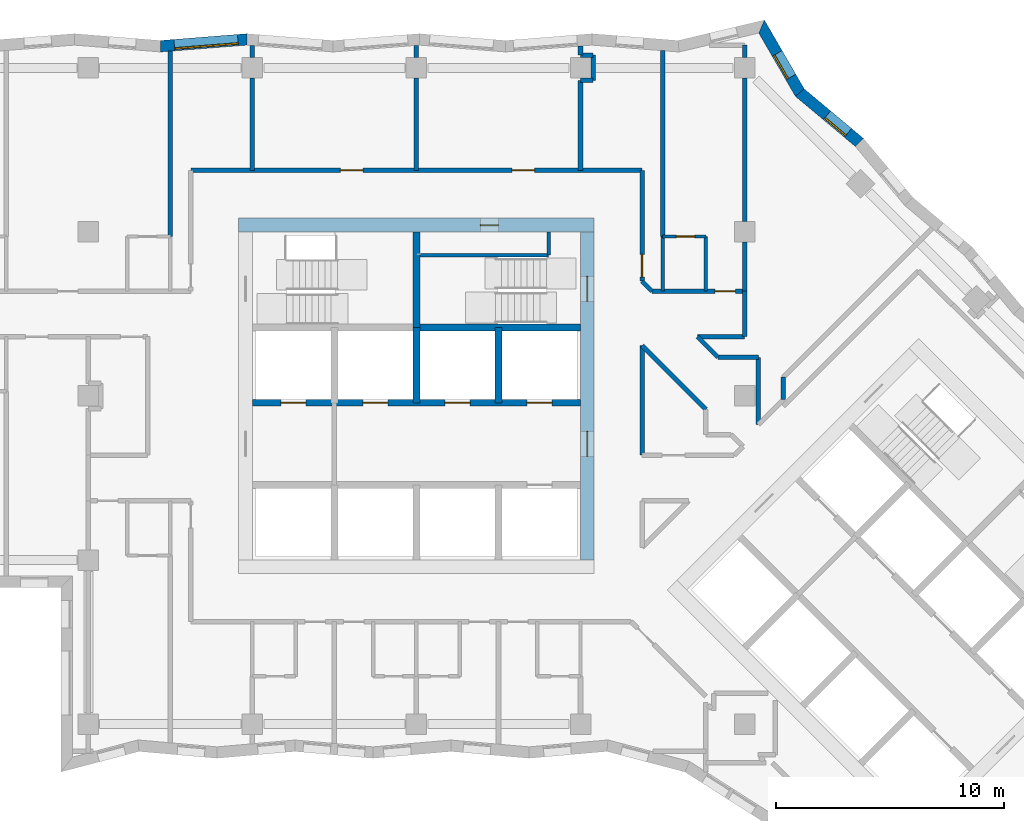
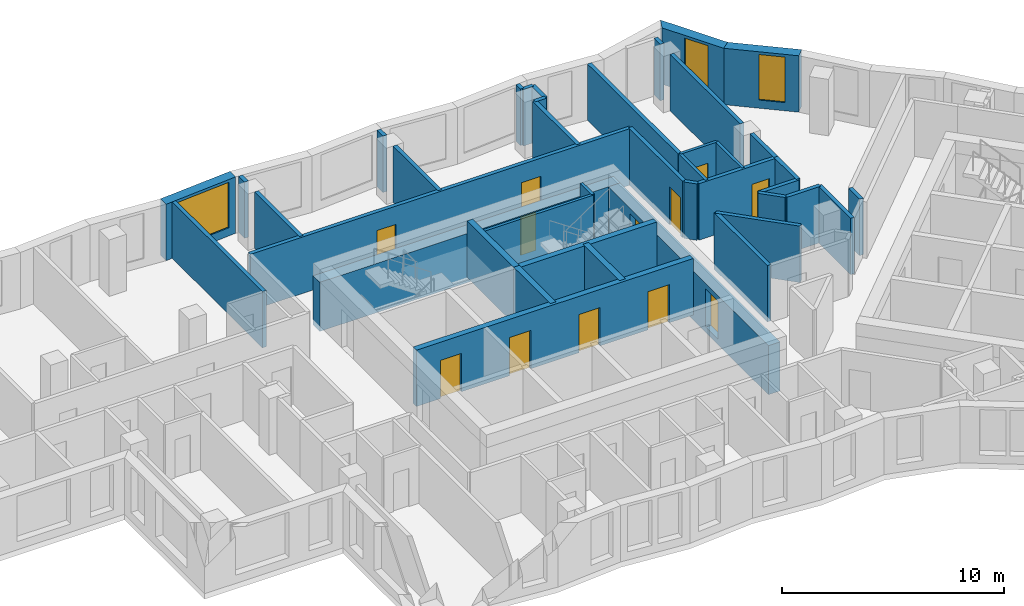
# One storey, part 6 of 12: 41 walls, 12 doors, 3 windows, 15 openings.
"""IFC4 building model written with IfcOpenShell, lengths in metres."""

from ifc_helpers import new_model, si_unit, direction, frame, frame_2d, origin, place, context, subcontext, project, spatial, polyline, rectangle, outline, extrude, material, layer, layer_set, type_object, element, fill, save


model = new_model("IFC4")

# Units and contexts
model_context = context("Model", 3, precision=1e-05, world=origin(), true_north=direction((0.0, 1.0)))
body_context = subcontext(model_context, "Body", "Model", "MODEL_VIEW")
ifc_project = project(units=[si_unit("LENGTHUNIT", "METRE"), si_unit("AREAUNIT", "SQUARE_METRE"), si_unit("VOLUMEUNIT", "CUBIC_METRE"), si_unit("PLANEANGLEUNIT", "RADIAN"), si_unit("MASSUNIT", "GRAM", prefix="KILO")], contexts=[model_context])

# Site, building, storey
site_placement = place(None, origin())
site = spatial("IfcSite", under=ifc_project, at=site_placement, CompositionType="ELEMENT")
building_placement = place(site_placement, origin())
building = spatial("IfcBuilding", under=site, at=building_placement, Name="Windrow Commons", CompositionType="ELEMENT")
storey_placement = place(building_placement, frame((0.0, 0.0, 135.4)))
storey = spatial("IfcBuildingStorey", under=building, at=storey_placement, Name="L36", CompositionType="ELEMENT", Elevation=135.4)

# Wall, opening, window
ifc_material_1 = material(Name="Brick masonry, red clay brick", Category="masonry")
ifc_layer_1 = layer(ifc_material_1, 0.5)
ifc_layer_set_1 = layer_set([ifc_layer_1], Name="Brick facade wall 500")
wall_type_1 = type_object("IfcWallType", Name="Brick facade wall 500", PredefinedType="SOLIDWALL", material=ifc_layer_set_1)
wall_1_placement = place(storey_placement, frame((84.2376, 68.7288, 0.0), z_axis=(0.0, 0.0, 1.0), x_axis=(-0.7669762984, 0.6416754301, 0.0)))
wall_1 = element("IfcWall", 1, at=wall_1_placement, inside=storey, type_object=wall_type_1, Name="Brick facade wall L36 17", PredefinedType="SOLIDWALL", context=body_context, shape_type="SweptSolid", body=[
    extrude(outline(polyline([(-0.0222, -0.25), (3.3636, -0.25), (3.4518, 0.25), (0.0222, 0.25), (-0.0222, -0.25)])), origin(), (0.0, 0.0, 1.0), 3.1),
])
opening_1_placement = place(wall_1_placement, frame((0.6532, 0.0, 0.45)))
opening_1 = element("IfcOpeningElement", 2, at=opening_1_placement, cuts=wall_1, Name="Opening W7E", PredefinedType="OPENING", context=body_context, shape_type="SweptSolid", body=[
    extrude(rectangle(XDim=1.2, YDim=2.5, at=frame_2d((0.6, 1.25))), frame((0.0, 0.26, 0.0), z_axis=(0.0, -1.0, 0.0), x_axis=(1.0, 0.0, 0.0)), (0.0, 0.0, 1.0), 0.52),
])
ifc_material_2 = material(Name="Clear float glass in anodised aluminium frame", Category="aluminium")
window_type_1 = type_object("IfcWindowType", Name="Window W7 notch 1200x2500", PartitioningType="SINGLE_PANEL", PredefinedType="WINDOW", material=ifc_material_2)
window_1_placement = place(opening_1_placement, origin())
window_1 = element("IfcWindow", 3, at=window_1_placement, inside=storey, type_object=window_type_1, Name="Window L36 17.1", OverallHeight=2.5, OverallWidth=1.2, PartitioningType="SINGLE_PANEL", PredefinedType="WINDOW", context=body_context, shape_type="SweptSolid", body=[
    extrude(rectangle(XDim=1.2, YDim=2.5, at=frame_2d((0.6, 1.25))), frame((0.0, 0.18, 0.0), z_axis=(0.0, -1.0, 0.0), x_axis=(1.0, 0.0, 0.0)), (0.0, 0.0, 1.0), 0.06),
])
fill(opening_1, window_1)

wall_2_placement = place(storey_placement, frame((81.6239, 70.9155, 0.0), z_axis=(0.0, 0.0, 1.0), x_axis=(-0.500878516, 0.8655175979, 0.0)))
wall_2 = element("IfcWall", 4, at=wall_2_placement, inside=storey, type_object=wall_type_1, Name="Brick facade wall L36 18", PredefinedType="SOLIDWALL", context=body_context, shape_type="SweptSolid", body=[
    extrude(outline(polyline([(0.0441, -0.25), (3.5347, -0.25), (3.1625, 0.25), (-0.0441, 0.25), (0.0441, -0.25)])), origin(), (0.0, 0.0, 1.0), 3.1),
])
opening_2_placement = place(wall_2_placement, frame((0.7838, 0.0, 0.45)))
opening_2 = element("IfcOpeningElement", 5, at=opening_2_placement, cuts=wall_2, Name="Opening W7E", PredefinedType="OPENING", context=body_context, shape_type="SweptSolid", body=[
    extrude(rectangle(XDim=1.2, YDim=2.5, at=frame_2d((0.6, 1.25))), frame((0.0, 0.26, 0.0), z_axis=(0.0, -1.0, 0.0), x_axis=(1.0, 0.0, 0.0)), (0.0, 0.0, 1.0), 0.52),
])
window_2_placement = place(opening_2_placement, origin())
window_2 = element("IfcWindow", 6, at=window_2_placement, inside=storey, type_object=window_type_1, Name="Window L36 18.1", OverallHeight=2.5, OverallWidth=1.2, PartitioningType="SINGLE_PANEL", PredefinedType="WINDOW", context=body_context, shape_type="SweptSolid", body=[
    extrude(rectangle(XDim=1.2, YDim=2.5, at=frame_2d((0.6, 1.25))), frame((0.0, 0.18, 0.0), z_axis=(0.0, -1.0, 0.0), x_axis=(1.0, 0.0, 0.0)), (0.0, 0.0, 1.0), 0.06),
])
fill(opening_2, window_2)

wall_3_placement = place(storey_placement, frame((57.3562, 73.2492, 0.0), z_axis=(0.0, 0.0, 1.0), x_axis=(-0.9968746163, -0.078999996, 0.0)))
wall_3 = element("IfcWall", 7, at=wall_3_placement, inside=storey, type_object=wall_type_1, Name="Brick facade wall L36 25", PredefinedType="SOLIDWALL", context=body_context, shape_type="SweptSolid", body=[
    extrude(outline(polyline([(-0.0198, -0.25), (3.7777, -0.25), (3.8173, 0.25), (0.0198, 0.25), (-0.0198, -0.25)])), origin(), (0.0, 0.0, 1.0), 3.1),
])
opening_3_placement = place(wall_3_placement, frame((0.3933, 0.0, 0.45)))
opening_3 = element("IfcOpeningElement", 8, at=opening_3_placement, cuts=wall_3, Name="Opening W1U", PredefinedType="OPENING", context=body_context, shape_type="SweptSolid", body=[
    extrude(rectangle(XDim=2.8, YDim=2.5, at=frame_2d((1.4, 1.25))), frame((0.0, 0.26, 0.0), z_axis=(0.0, -1.0, 0.0), x_axis=(1.0, 0.0, 0.0)), (0.0, 0.0, 1.0), 0.52),
])
ifc_material_3 = material(Name="Clear float glass in anodised aluminium frame", Category="aluminium")
window_type_2 = type_object("IfcWindowType", Name="Window W1U bedroom 2800x2500", PartitioningType="SINGLE_PANEL", PredefinedType="WINDOW", material=ifc_material_3)
window_3_placement = place(opening_3_placement, origin())
window_3 = element("IfcWindow", 9, at=window_3_placement, inside=storey, type_object=window_type_2, Name="Window L36 25.1", OverallHeight=2.5, OverallWidth=2.8, PartitioningType="SINGLE_PANEL", PredefinedType="WINDOW", context=body_context, shape_type="SweptSolid", body=[
    extrude(rectangle(XDim=2.8, YDim=2.5, at=frame_2d((1.4, 1.25))), frame((0.0, 0.18, 0.0), z_axis=(0.0, -1.0, 0.0), x_axis=(1.0, 0.0, 0.0)), (0.0, 0.0, 1.0), 0.06),
])
fill(opening_3, window_3)

# Wall, openings, doors
ifc_material_4 = material(Name="Blockwork partition", Category="masonry")
ifc_layer_2 = layer(ifc_material_4, 0.2)
ifc_layer_set_2 = layer_set([ifc_layer_2], Name="IW-CORRIDOR-200")
wall_type_2 = type_object("IfcWallType", Name="IW-CORRIDOR-200", PredefinedType="PARTITIONING", material=ifc_layer_set_2)
wall_4_placement = place(storey_placement, frame((54.9, 67.5, 0.0), z_axis=(0.0, 0.0, 1.0), x_axis=(1.0, 0.0, 0.0)))
wall_4 = element("IfcWall", 10, at=wall_4_placement, inside=storey, type_object=wall_type_2, Name="W-L36-W000", PredefinedType="PARTITIONING", context=body_context, shape_type="SweptSolid", body=[
    extrude(rectangle(XDim=19.8, YDim=0.2, at=frame_2d((9.9, 0.0))), origin(), (0.0, 0.0, 1.0), 3.1),
])
opening_4_placement = place(wall_4_placement, frame((6.5625, 0.0, 0.0)))
opening_4 = element("IfcOpeningElement", 11, at=opening_4_placement, cuts=wall_4, Name="Opening D310F", PredefinedType="OPENING", context=body_context, shape_type="SweptSolid", body=[
    extrude(rectangle(XDim=1.0, YDim=2.1, at=frame_2d((0.5, 1.05))), frame((0.0, 0.11, 0.0), z_axis=(0.0, -1.0, 0.0), x_axis=(1.0, 0.0, 0.0)), (0.0, 0.0, 1.0), 0.22),
])
opening_5_placement = place(wall_4_placement, frame((14.0887, 0.0, 0.0)))
opening_5 = element("IfcOpeningElement", 12, at=opening_5_placement, cuts=wall_4, Name="Opening D310F", PredefinedType="OPENING", context=body_context, shape_type="SweptSolid", body=[
    extrude(rectangle(XDim=1.0, YDim=2.1, at=frame_2d((0.5, 1.05))), frame((0.0, 0.11, 0.0), z_axis=(0.0, -1.0, 0.0), x_axis=(1.0, 0.0, 0.0)), (0.0, 0.0, 1.0), 0.22),
])
ifc_material_5 = material(Name="Timber door leaf", Category="wood")
door_type_1 = type_object("IfcDoorType", Name="DT-AMENITY-1000", OperationType="SINGLE_SWING_LEFT", PredefinedType="DOOR", material=ifc_material_5)
door_1_placement = place(opening_4_placement, origin())
door_1 = element("IfcDoor", 13, at=door_1_placement, inside=storey, type_object=door_type_1, Name="D-L36-D031", OperationType="SINGLE_SWING_RIGHT", OverallHeight=2.1, OverallWidth=1.0, PredefinedType="DOOR", context=body_context, shape_type="SweptSolid", body=[
    extrude(rectangle(XDim=1.0, YDim=2.1, at=frame_2d((0.5, 1.05))), frame((0.0, 0.025, 0.0), z_axis=(0.0, -1.0, 0.0), x_axis=(1.0, 0.0, 0.0)), (0.0, 0.0, 1.0), 0.05),
])
fill(opening_4, door_1)
door_2_placement = place(opening_5_placement, origin())
door_2 = element("IfcDoor", 14, at=door_2_placement, inside=storey, type_object=door_type_1, Name="D-L36-D032", OperationType="SINGLE_SWING_RIGHT", OverallHeight=2.1, OverallWidth=1.0, PredefinedType="DOOR", context=body_context, shape_type="SweptSolid", body=[
    extrude(rectangle(XDim=1.0, YDim=2.1, at=frame_2d((0.5, 1.05))), frame((0.0, 0.025, 0.0), z_axis=(0.0, -1.0, 0.0), x_axis=(1.0, 0.0, 0.0)), (0.0, 0.0, 1.0), 0.05),
])
fill(opening_5, door_2)

# Wall, opening, door
wall_5_placement = place(storey_placement, frame((74.7, 62.642, 0.0), z_axis=(0.0, 0.0, 1.0), x_axis=(0.0, 1.0, 0.0)))
wall_5 = element("IfcWall", 15, at=wall_5_placement, inside=storey, type_object=wall_type_2, Name="W-L36-W034", PredefinedType="PARTITIONING", context=body_context, shape_type="SweptSolid", body=[
    extrude(rectangle(XDim=4.858, YDim=0.2, at=frame_2d((2.429, 0.0))), origin(), (0.0, 0.0, 1.0), 3.1),
])
opening_6_placement = place(wall_5_placement, frame((0.169, 0.0, 0.0)))
opening_6 = element("IfcOpeningElement", 16, at=opening_6_placement, cuts=wall_5, Name="Opening D310F", PredefinedType="OPENING", context=body_context, shape_type="SweptSolid", body=[
    extrude(rectangle(XDim=1.0, YDim=2.1, at=frame_2d((0.5, 1.05))), frame((0.0, 0.11, 0.0), z_axis=(0.0, -1.0, 0.0), x_axis=(1.0, 0.0, 0.0)), (0.0, 0.0, 1.0), 0.22),
])
door_3_placement = place(opening_6_placement, origin())
door_3 = element("IfcDoor", 17, at=door_3_placement, inside=storey, type_object=door_type_1, Name="D-L36-D020", OperationType="SINGLE_SWING_RIGHT", OverallHeight=2.1, OverallWidth=1.0, PredefinedType="DOOR", context=body_context, shape_type="SweptSolid", body=[
    extrude(rectangle(XDim=1.0, YDim=2.1, at=frame_2d((0.5, 1.05))), frame((0.0, 0.025, 0.0), z_axis=(0.0, -1.0, 0.0), x_axis=(1.0, 0.0, 0.0)), (0.0, 0.0, 1.0), 0.05),
])
fill(opening_6, door_3)

# Wall
wall_6_placement = place(storey_placement, frame((74.7, 55.002, 0.0), z_axis=(0.0, 0.0, 1.0), x_axis=(0.0, 1.0, 0.0)))
element("IfcWall", 18, at=wall_6_placement, inside=storey, type_object=wall_type_2, Name="W-L36-W035", PredefinedType="PARTITIONING", context=body_context, shape_type="SweptSolid", body=[
    extrude(rectangle(XDim=4.808, YDim=0.2, at=frame_2d((2.404, 0.0))), origin(), (0.0, 0.0, 1.0), 3.1),
])

# Wall, opening, door
wall_7_placement = place(storey_placement, frame((75.142, 62.2, 0.0), z_axis=(0.0, 0.0, 1.0), x_axis=(1.0, 0.0, 0.0)))
wall_7 = element("IfcWall", 19, at=wall_7_placement, inside=storey, type_object=wall_type_2, Name="W-L36-W039", PredefinedType="PARTITIONING", context=body_context, shape_type="SweptSolid", body=[
    extrude(rectangle(XDim=4.058, YDim=0.2, at=frame_2d((2.029, 0.0))), origin(), (0.0, 0.0, 1.0), 3.1),
])
opening_7_placement = place(wall_7_placement, frame((2.758, 0.0, 0.0)))
opening_7 = element("IfcOpeningElement", 20, at=opening_7_placement, cuts=wall_7, Name="Opening D109S", PredefinedType="OPENING", context=body_context, shape_type="SweptSolid", body=[
    extrude(rectangle(XDim=0.9, YDim=2.1, at=frame_2d((0.45, 1.05))), frame((0.0, 0.11, 0.0), z_axis=(0.0, -1.0, 0.0), x_axis=(1.0, 0.0, 0.0)), (0.0, 0.0, 1.0), 0.22),
])
ifc_material_6 = material(Name="Timber door leaf", Category="wood")
door_type_2 = type_object("IfcDoorType", Name="DT-BEDROOM-900", OperationType="SINGLE_SWING_LEFT", PredefinedType="DOOR", material=ifc_material_6)
door_4_placement = place(opening_7_placement, origin())
door_4 = element("IfcDoor", 21, at=door_4_placement, inside=storey, type_object=door_type_2, Name="D-L36-D021", OperationType="SINGLE_SWING_LEFT", OverallHeight=2.1, OverallWidth=0.9, PredefinedType="DOOR", context=body_context, shape_type="SweptSolid", body=[
    extrude(rectangle(XDim=0.9, YDim=2.1, at=frame_2d((0.45, 1.05))), frame((0.0, 0.025, 0.0), z_axis=(0.0, -1.0, 0.0), x_axis=(1.0, 0.0, 0.0)), (0.0, 0.0, 1.0), 0.05),
])
fill(opening_7, door_4)

# Walls
wall_8_placement = place(storey_placement, frame((74.6989, 59.8069, 0.0), z_axis=(0.0, 0.0, 1.0), x_axis=(0.7071067812, -0.7071067812, 0.0)))
element("IfcWall", 22, at=wall_8_placement, inside=storey, type_object=wall_type_2, Name="W-L36-W043", PredefinedType="PARTITIONING", context=body_context, shape_type="SweptSolid", body=[
    extrude(rectangle(XDim=3.957, YDim=0.2, at=frame_2d((1.9785, 0.0))), origin(), (0.0, 0.0, 1.0), 3.1),
])
wall_9_placement = place(storey_placement, frame((79.8, 56.338, 0.0), z_axis=(0.0, 0.0, 1.0), x_axis=(0.0, 1.0, 0.0)))
element("IfcWall", 23, at=wall_9_placement, inside=storey, type_object=wall_type_2, Name="W-L36-W052", PredefinedType="PARTITIONING", context=body_context, shape_type="SweptSolid", body=[
    extrude(rectangle(XDim=2.962, YDim=0.2, at=frame_2d((1.481, 0.0))), origin(), (0.0, 0.0, 1.0), 3.1),
])
wall_10_placement = place(storey_placement, frame((77.144, 60.2, 0.0), z_axis=(0.0, 0.0, 1.0), x_axis=(1.0, 0.0, 0.0)))
element("IfcWall", 24, at=wall_10_placement, inside=storey, type_object=wall_type_2, Name="W-L36-W102", PredefinedType="PARTITIONING", context=body_context, shape_type="SweptSolid", body=[
    extrude(rectangle(XDim=2.056, YDim=0.2, at=frame_2d((1.028, 0.0))), origin(), (0.0, 0.0, 1.0), 3.1),
])
wall_11_placement = place(storey_placement, frame((79.2, 60.2, 0.0), z_axis=(0.0, 0.0, 1.0), x_axis=(0.0, 1.0, 0.0)))
element("IfcWall", 25, at=wall_11_placement, inside=storey, type_object=wall_type_2, Name="W-L36-W109", PredefinedType="PARTITIONING", context=body_context, shape_type="SweptSolid", body=[
    extrude(rectangle(XDim=2.0, YDim=0.2, at=frame_2d((1.0, 0.0))), origin(), (0.0, 0.0, 1.0), 3.1),
])
wall_12_placement = place(storey_placement, frame((78.042, 59.3, 0.0), z_axis=(0.0, 0.0, 1.0), x_axis=(1.0, 0.0, 0.0)))
element("IfcWall", 26, at=wall_12_placement, inside=storey, type_object=wall_type_2, Name="W-L36-W130", PredefinedType="PARTITIONING", context=body_context, shape_type="SweptSolid", body=[
    extrude(rectangle(XDim=1.758, YDim=0.2, at=frame_2d((0.879, 0.0))), origin(), (0.0, 0.0, 1.0), 3.1),
])
wall_13_placement = place(storey_placement, frame((77.1391, 60.1951, 0.0), z_axis=(0.0, 0.0, 1.0), x_axis=(0.7071067812, -0.7071067812, 0.0)))
element("IfcWall", 27, at=wall_13_placement, inside=storey, type_object=wall_type_2, Name="W-L36-W142", PredefinedType="PARTITIONING", context=body_context, shape_type="SweptSolid", body=[
    extrude(rectangle(XDim=1.27, YDim=0.2, at=frame_2d((0.635, 0.0))), origin(), (0.0, 0.0, 1.0), 3.1),
])
wall_14_placement = place(storey_placement, frame((74.6971, 62.6371, 0.0), z_axis=(0.0, 0.0, 1.0), x_axis=(0.7071067812, -0.7071067812, 0.0)))
element("IfcWall", 28, at=wall_14_placement, inside=storey, type_object=wall_type_2, Name="W-L36-W157", PredefinedType="PARTITIONING", context=body_context, shape_type="SweptSolid", body=[
    extrude(rectangle(XDim=0.6223, YDim=0.2, at=frame_2d((0.3111, 0.0))), origin(), (0.0, 0.0, 1.0), 3.1),
])
ifc_material_7 = material(Name="Blockwork partition", Category="masonry")
ifc_layer_3 = layer(ifc_material_7, 0.15)
ifc_layer_set_3 = layer_set([ifc_layer_3], Name="IW-ENSUITE-150")
wall_type_3 = type_object("IfcWallType", Name="IW-ENSUITE-150", PredefinedType="PARTITIONING", material=ifc_layer_set_3)
for number, where, z_axis, x_axis, name in (
    (29, (75.6, 62.2, 0.0), (0.0, 0.0, 1.0), (0.0, 1.0, 0.0), "W-L36-W086"),
    (30, (77.5, 62.2, 0.0), (0.0, 0.0, 1.0), (0.0, 1.0, 0.0), "W-L36-W087"),
):
    element("IfcWall", number, at=place(storey_placement, frame(where, z_axis=z_axis, x_axis=x_axis)), inside=storey, type_object=wall_type_3, Name=name, PredefinedType="PARTITIONING", context=body_context, shape_type="SweptSolid", body=[
        extrude(rectangle(XDim=2.4, YDim=0.15, at=frame_2d((1.2, 0.0))), origin(), (0.0, 0.0, 1.0), 3.1),
    ])

# Wall, opening, door
wall_15_placement = place(storey_placement, frame((75.6, 64.6, 0.0), z_axis=(0.0, 0.0, 1.0), x_axis=(1.0, 0.0, 0.0)))
wall_15 = element("IfcWall", 31, at=wall_15_placement, inside=storey, type_object=wall_type_3, Name="W-L36-W117", PredefinedType="PARTITIONING", context=body_context, shape_type="SweptSolid", body=[
    extrude(rectangle(XDim=1.9, YDim=0.15, at=frame_2d((0.95, 0.0))), origin(), (0.0, 0.0, 1.0), 3.1),
])
opening_8_placement = place(wall_15_placement, frame((0.6069, 0.0, 0.0)))
opening_8 = element("IfcOpeningElement", 32, at=opening_8_placement, cuts=wall_15, Name="Opening D208N", PredefinedType="OPENING", context=body_context, shape_type="SweptSolid", body=[
    extrude(rectangle(XDim=0.8, YDim=2.1, at=frame_2d((0.4, 1.05))), frame((0.0, 0.085, 0.0), z_axis=(0.0, -1.0, 0.0), x_axis=(1.0, 0.0, 0.0)), (0.0, 0.0, 1.0), 0.17),
])
ifc_material_8 = material(Name="Timber door leaf", Category="wood")
door_type_3 = type_object("IfcDoorType", Name="DT-ENSUITE-800", OperationType="SINGLE_SWING_LEFT", PredefinedType="DOOR", material=ifc_material_8)
door_5_placement = place(opening_8_placement, origin())
door_5 = element("IfcDoor", 33, at=door_5_placement, inside=storey, type_object=door_type_3, Name="D-L36-D022", OperationType="SINGLE_SWING_RIGHT", OverallHeight=2.1, OverallWidth=0.8, PredefinedType="DOOR", context=body_context, shape_type="SweptSolid", body=[
    extrude(rectangle(XDim=0.8, YDim=2.1, at=frame_2d((0.4, 1.05))), frame((0.0, 0.025, 0.0), z_axis=(0.0, -1.0, 0.0), x_axis=(1.0, 0.0, 0.0)), (0.0, 0.0, 1.0), 0.05),
])
fill(opening_8, door_5)

# Walls
ifc_material_9 = material(Name="Blockwork partition", Category="masonry")
ifc_layer_4 = layer(ifc_material_9, 0.2)
ifc_layer_set_4 = layer_set([ifc_layer_4], Name="IW-PARTY-200")
wall_type_4 = type_object("IfcWallType", Name="IW-PARTY-200", PredefinedType="PARTITIONING", material=ifc_layer_set_4)
wall_16_placement = place(storey_placement, frame((75.6, 64.6, 0.0), z_axis=(0.0, 0.0, 1.0), x_axis=(0.0, 1.0, 0.0)))
element("IfcWall", 34, at=wall_16_placement, inside=storey, type_object=wall_type_4, Name="W-L36-W017", PredefinedType="PARTITIONING", context=body_context, shape_type="SweptSolid", body=[
    extrude(rectangle(XDim=8.1527, YDim=0.2, at=frame_2d((4.0763, 0.0))), origin(), (0.0, 0.0, 1.0), 3.1),
])
wall_17_placement = place(storey_placement, frame((54.0, 64.6, 0.0), z_axis=(0.0, 0.0, 1.0), x_axis=(0.0, 1.0, 0.0)))
element("IfcWall", 35, at=wall_17_placement, inside=storey, type_object=wall_type_4, Name="W-L36-W019", PredefinedType="PARTITIONING", context=body_context, shape_type="SweptSolid", body=[
    extrude(rectangle(XDim=8.1325, YDim=0.2, at=frame_2d((4.0663, 0.0))), origin(), (0.0, 0.0, 1.0), 3.1),
])
wall_18_placement = place(storey_placement, frame((79.2, 65.25, 0.0), z_axis=(0.0, 0.0, 1.0), x_axis=(0.0, 1.0, 0.0)))
element("IfcWall", 36, at=wall_18_placement, inside=storey, type_object=wall_type_4, Name="W-L36-W025", PredefinedType="PARTITIONING", context=body_context, shape_type="SweptSolid", body=[
    extrude(rectangle(XDim=6.3, YDim=0.2, at=frame_2d((3.15, 0.0))), origin(), (0.0, 0.0, 1.0), 3.1),
])
for number, where, z_axis, x_axis, name in (
    (37, (57.6, 67.5, 0.0), (0.0, 0.0, 1.0), (0.0, 1.0, 0.0), "W-L36-W040"),
    (38, (64.8, 67.5, 0.0), (0.0, 0.0, 1.0), (0.0, 1.0, 0.0), "W-L36-W041"),
):
    element("IfcWall", number, at=place(storey_placement, frame(where, z_axis=z_axis, x_axis=x_axis)), inside=storey, type_object=wall_type_4, Name=name, PredefinedType="PARTITIONING", context=body_context, shape_type="SweptSolid", body=[
        extrude(rectangle(XDim=4.05, YDim=0.2, at=frame_2d((2.025, 0.0))), origin(), (0.0, 0.0, 1.0), 3.1),
    ])
wall_19_placement = place(storey_placement, frame((72.0, 67.5, 0.0), z_axis=(0.0, 0.0, 1.0), x_axis=(0.0, 1.0, 0.0)))
element("IfcWall", 39, at=wall_19_placement, inside=storey, type_object=wall_type_4, Name="W-L36-W044", PredefinedType="PARTITIONING", context=body_context, shape_type="SweptSolid", body=[
    extrude(rectangle(XDim=3.946, YDim=0.2, at=frame_2d((1.973, 0.0))), origin(), (0.0, 0.0, 1.0), 3.1),
])
wall_20_placement = place(storey_placement, frame((79.2, 62.2, 0.0), z_axis=(0.0, 0.0, 1.0), x_axis=(0.0, 1.0, 0.0)))
element("IfcWall", 40, at=wall_20_placement, inside=storey, type_object=wall_type_4, Name="W-L36-W100", PredefinedType="PARTITIONING", context=body_context, shape_type="SweptSolid", body=[
    extrude(rectangle(XDim=2.15, YDim=0.2, at=frame_2d((1.075, 0.0))), origin(), (0.0, 0.0, 1.0), 3.1),
])
wall_21_placement = place(storey_placement, frame((72.55, 71.446, 0.0), z_axis=(0.0, 0.0, 1.0), x_axis=(0.0, 1.0, 0.0)))
element("IfcWall", 41, at=wall_21_placement, inside=storey, type_object=wall_type_4, Name="W-L36-W147", PredefinedType="PARTITIONING", context=body_context, shape_type="SweptSolid", body=[
    extrude(rectangle(XDim=1.108, YDim=0.2, at=frame_2d((0.554, 0.0))), origin(), (0.0, 0.0, 1.0), 3.1),
])
wall_22_placement = place(storey_placement, frame((80.9, 57.436, 0.0), z_axis=(0.0, 0.0, 1.0), x_axis=(0.0, 1.0, 0.0)))
element("IfcWall", 42, at=wall_22_placement, inside=storey, type_object=wall_type_4, Name="W-L36-W148", PredefinedType="PARTITIONING", context=body_context, shape_type="SweptSolid", body=[
    extrude(rectangle(XDim=0.99, YDim=0.2, at=frame_2d((0.495, 0.0))), origin(), (0.0, 0.0, 1.0), 3.1),
])
for number, where, z_axis, x_axis, name in (
    (43, (72.0, 71.45, 0.0), (0.0, 0.0, 1.0), (1.0, 0.0, 0.0), "W-L36-W163"),
    (44, (72.0, 72.55, 0.0), (0.0, 0.0, 1.0), (1.0, 0.0, 0.0), "W-L36-W164"),
    (45, (79.2, 72.45, 0.0), (0.0, 0.0, 1.0), (0.0, 1.0, 0.0), "W-L36-W165"),
):
    element("IfcWall", number, at=place(storey_placement, frame(where, z_axis=z_axis, x_axis=x_axis)), inside=storey, type_object=wall_type_4, Name=name, PredefinedType="PARTITIONING", context=body_context, shape_type="SweptSolid", body=[
        extrude(rectangle(XDim=0.55, YDim=0.2, at=frame_2d((0.275, 0.0))), origin(), (0.0, 0.0, 1.0), 3.1),
    ])
wall_23_placement = place(storey_placement, frame((64.8, 72.45, 0.0), z_axis=(0.0, 0.0, 1.0), x_axis=(0.0, 1.0, 0.0)))
element("IfcWall", 46, at=wall_23_placement, inside=storey, type_object=wall_type_4, Name="W-L36-W169", PredefinedType="PARTITIONING", context=body_context, shape_type="SweptSolid", body=[
    extrude(rectangle(XDim=0.5383, YDim=0.2, at=frame_2d((0.2692, 0.0))), origin(), (0.0, 0.0, 1.0), 3.1),
])
wall_24_placement = place(storey_placement, frame((57.6, 72.45, 0.0), z_axis=(0.0, 0.0, 1.0), x_axis=(0.0, 1.0, 0.0)))
element("IfcWall", 47, at=wall_24_placement, inside=storey, type_object=wall_type_4, Name="W-L36-W170", PredefinedType="PARTITIONING", context=body_context, shape_type="SweptSolid", body=[
    extrude(rectangle(XDim=0.5291, YDim=0.2, at=frame_2d((0.2646, 0.0))), origin(), (0.0, 0.0, 1.0), 3.1),
])
wall_25_placement = place(storey_placement, frame((72.0, 72.554, 0.0), z_axis=(0.0, 0.0, 1.0), x_axis=(0.0, 1.0, 0.0)))
element("IfcWall", 48, at=wall_25_placement, inside=storey, type_object=wall_type_4, Name="W-L36-W180", PredefinedType="PARTITIONING", context=body_context, shape_type="SweptSolid", body=[
    extrude(rectangle(XDim=0.4049, YDim=0.2, at=frame_2d((0.2024, 0.0))), origin(), (0.0, 0.0, 1.0), 3.1),
])

# Wall, opening, door
ifc_material_10 = material(Name="Concrete C50/60", Category="concrete")
ifc_layer_5 = layer(ifc_material_10, 0.6)
ifc_layer_set_5 = layer_set([ifc_layer_5], Name="RC CORE WALL 600 C50/60")
wall_type_5 = type_object("IfcWallType", Name="RC CORE WALL 600 C50/60", PredefinedType="SHEAR", material=ifc_layer_set_5)
wall_26_placement = place(storey_placement, frame((57.0, 65.1, -0.3), z_axis=(0.0, 0.0, 1.0), x_axis=(1.0, 0.0, 0.0)))
wall_26 = element("IfcWall", 49, at=wall_26_placement, inside=storey, type_object=wall_type_5, Name="Core A wall outer-N", PredefinedType="SHEAR", context=body_context, shape_type="SweptSolid", body=[
    extrude(rectangle(XDim=15.6, YDim=0.6, at=frame_2d((7.8, 0.0))), origin(), (0.0, 0.0, 1.0), 2.7),
])
opening_9_placement = place(wall_26_placement, frame((10.6, 0.0, 0.3)))
opening_9 = element("IfcOpeningElement", 50, at=opening_9_placement, cuts=wall_26, Name="Opening D9", PredefinedType="OPENING", context=body_context, shape_type="SweptSolid", body=[
    extrude(rectangle(XDim=0.8, YDim=2.1, at=frame_2d((0.4, 1.05))), frame((0.0, 0.31, 0.0), z_axis=(0.0, -1.0, 0.0), x_axis=(1.0, 0.0, 0.0)), (0.0, 0.0, 1.0), 0.62),
])
ifc_material_11 = material(Name="Steel fire door leaf", Category="steel")
door_type_4 = type_object("IfcDoorType", Name="Riser access door 800", OperationType="SINGLE_SWING_LEFT", PredefinedType="DOOR", material=ifc_material_11)
door_6_placement = place(opening_9_placement, origin())
door_6 = element("IfcDoor", 51, at=door_6_placement, inside=storey, type_object=door_type_4, Name="Riser access door", OperationType="SINGLE_SWING_RIGHT", OverallHeight=2.1, OverallWidth=0.8, PredefinedType="DOOR", context=body_context, shape_type="SweptSolid", body=[
    extrude(rectangle(XDim=0.8, YDim=2.1, at=frame_2d((0.4, 1.05))), frame((0.0, 0.025, 0.0), z_axis=(0.0, -1.0, 0.0), x_axis=(1.0, 0.0, 0.0)), (0.0, 0.0, 1.0), 0.05),
])
fill(opening_9, door_6)

# Wall, openings, doors
wall_27_placement = place(storey_placement, frame((72.3, 50.4, -0.3), z_axis=(0.0, 0.0, 1.0), x_axis=(0.0, 1.0, 0.0)))
wall_27 = element("IfcWall", 52, at=wall_27_placement, inside=storey, type_object=wall_type_5, Name="Core A wall outer-E", PredefinedType="SHEAR", context=body_context, shape_type="SweptSolid", body=[
    extrude(rectangle(XDim=14.4, YDim=0.6, at=frame_2d((7.2, 0.0))), origin(), (0.0, 0.0, 1.0), 2.7),
])
opening_10_placement = place(wall_27_placement, frame((4.55, 0.0, 0.3)))
opening_10 = element("IfcOpeningElement", 53, at=opening_10_placement, cuts=wall_27, Name="Opening D6", PredefinedType="OPENING", context=body_context, shape_type="SweptSolid", body=[
    extrude(rectangle(XDim=1.1, YDim=2.1, at=frame_2d((0.55, 1.05))), frame((0.0, 0.31, 0.0), z_axis=(0.0, -1.0, 0.0), x_axis=(1.0, 0.0, 0.0)), (0.0, 0.0, 1.0), 0.62),
])
opening_11_placement = place(wall_27_placement, frame((11.35, 0.0, 0.3)))
opening_11 = element("IfcOpeningElement", 54, at=opening_11_placement, cuts=wall_27, Name="Opening D7", PredefinedType="OPENING", context=body_context, shape_type="SweptSolid", body=[
    extrude(rectangle(XDim=1.1, YDim=2.1, at=frame_2d((0.55, 1.05))), frame((0.0, 0.31, 0.0), z_axis=(0.0, -1.0, 0.0), x_axis=(1.0, 0.0, 0.0)), (0.0, 0.0, 1.0), 0.62),
])
ifc_material_12 = material(Name="Steel fire door leaf", Category="steel")
door_type_5 = type_object("IfcDoorType", Name="Core lobby door 1100", OperationType="SINGLE_SWING_LEFT", PredefinedType="DOOR", material=ifc_material_12)
door_7_placement = place(opening_10_placement, origin())
door_7 = element("IfcDoor", 55, at=door_7_placement, inside=storey, type_object=door_type_5, Name="Lift lobby door", OperationType="DOUBLE_DOOR_SINGLE_SWING", OverallHeight=2.1, OverallWidth=1.1, PredefinedType="DOOR", context=body_context, shape_type="SweptSolid", body=[
    extrude(rectangle(XDim=1.1, YDim=2.1, at=frame_2d((0.55, 1.05))), frame((0.0, 0.025, 0.0), z_axis=(0.0, -1.0, 0.0), x_axis=(1.0, 0.0, 0.0)), (0.0, 0.0, 1.0), 0.05),
])
fill(opening_10, door_7)
ifc_material_13 = material(Name="Steel fire door leaf", Category="steel")
door_type_6 = type_object("IfcDoorType", Name="Stair door 1100", OperationType="SINGLE_SWING_LEFT", PredefinedType="DOOR", material=ifc_material_13)
door_8_placement = place(opening_11_placement, origin())
door_8 = element("IfcDoor", 56, at=door_8_placement, inside=storey, type_object=door_type_6, Name="Stair door", OperationType="SINGLE_SWING_RIGHT", OverallHeight=2.1, OverallWidth=1.1, PredefinedType="DOOR", context=body_context, shape_type="SweptSolid", body=[
    extrude(rectangle(XDim=1.1, YDim=2.1, at=frame_2d((0.55, 1.05))), frame((0.0, 0.025, 0.0), z_axis=(0.0, -1.0, 0.0), x_axis=(1.0, 0.0, 0.0)), (0.0, 0.0, 1.0), 0.05),
])
fill(opening_11, door_8)

# Walls
ifc_material_14 = material(Name="Concrete C50/60", Category="concrete")
ifc_layer_6 = layer(ifc_material_14, 0.3)
ifc_layer_set_6 = layer_set([ifc_layer_6], Name="RC SHAFT WALL 300 C50/60")
wall_type_6 = type_object("IfcWallType", Name="RC SHAFT WALL 300 C50/60", PredefinedType="SOLIDWALL", material=ifc_layer_set_6)
for number, where, z_axis, x_axis, name in (
    (57, (64.8, 57.3, 0.0), (0.0, 0.0, 1.0), (0.0, 1.0, 0.0), "Core A wall shaft-N2"),
    (58, (68.4, 57.3, 0.0), (0.0, 0.0, 1.0), (0.0, 1.0, 0.0), "Core A wall shaft-N3"),
):
    element("IfcWall", number, at=place(storey_placement, frame(where, z_axis=z_axis, x_axis=x_axis)), inside=storey, type_object=wall_type_6, Name=name, PredefinedType="SOLIDWALL", context=body_context, shape_type="SweptSolid", body=[
        extrude(rectangle(XDim=3.3, YDim=0.3, at=frame_2d((1.65, 0.0))), origin(), (0.0, 0.0, 1.0), 3.1),
    ])

# Wall, openings, doors
wall_28_placement = place(storey_placement, frame((57.6, 57.3, 0.0), z_axis=(0.0, 0.0, 1.0), x_axis=(1.0, 0.0, 0.0)))
wall_28 = element("IfcWall", 59, at=wall_28_placement, inside=storey, type_object=wall_type_6, Name="Core A wall lobby-N", PredefinedType="SOLIDWALL", context=body_context, shape_type="SweptSolid", body=[
    extrude(rectangle(XDim=14.4, YDim=0.3, at=frame_2d((7.2, 0.0))), origin(), (0.0, 0.0, 1.0), 3.1),
])
opening_12_placement = place(wall_28_placement, frame((1.25, 0.0, 0.0)))
opening_12 = element("IfcOpeningElement", 60, at=opening_12_placement, cuts=wall_28, Name="Opening LD", PredefinedType="OPENING", context=body_context, shape_type="SweptSolid", body=[
    extrude(rectangle(XDim=1.1, YDim=2.1, at=frame_2d((0.55, 1.05))), frame((0.0, 0.16, 0.0), z_axis=(0.0, -1.0, 0.0), x_axis=(1.0, 0.0, 0.0)), (0.0, 0.0, 1.0), 0.32),
])
opening_13_placement = place(wall_28_placement, frame((4.85, 0.0, 0.0)))
opening_13 = element("IfcOpeningElement", 61, at=opening_13_placement, cuts=wall_28, Name="Opening LD", PredefinedType="OPENING", context=body_context, shape_type="SweptSolid", body=[
    extrude(rectangle(XDim=1.1, YDim=2.1, at=frame_2d((0.55, 1.05))), frame((0.0, 0.16, 0.0), z_axis=(0.0, -1.0, 0.0), x_axis=(1.0, 0.0, 0.0)), (0.0, 0.0, 1.0), 0.32),
])
opening_14_placement = place(wall_28_placement, frame((8.45, 0.0, 0.0)))
opening_14 = element("IfcOpeningElement", 62, at=opening_14_placement, cuts=wall_28, Name="Opening LD", PredefinedType="OPENING", context=body_context, shape_type="SweptSolid", body=[
    extrude(rectangle(XDim=1.1, YDim=2.1, at=frame_2d((0.55, 1.05))), frame((0.0, 0.16, 0.0), z_axis=(0.0, -1.0, 0.0), x_axis=(1.0, 0.0, 0.0)), (0.0, 0.0, 1.0), 0.32),
])
opening_15_placement = place(wall_28_placement, frame((12.05, 0.0, 0.0)))
opening_15 = element("IfcOpeningElement", 63, at=opening_15_placement, cuts=wall_28, Name="Opening LD", PredefinedType="OPENING", context=body_context, shape_type="SweptSolid", body=[
    extrude(rectangle(XDim=1.1, YDim=2.1, at=frame_2d((0.55, 1.05))), frame((0.0, 0.16, 0.0), z_axis=(0.0, -1.0, 0.0), x_axis=(1.0, 0.0, 0.0)), (0.0, 0.0, 1.0), 0.32),
])
ifc_material_15 = material(Name="Stainless steel door leaf", Category="steel")
door_type_7 = type_object("IfcDoorType", Name="Lift landing door 1100", OperationType="SLIDING_TO_LEFT", PredefinedType="DOOR", material=ifc_material_15)
door_9_placement = place(opening_12_placement, origin())
door_9 = element("IfcDoor", 64, at=door_9_placement, inside=storey, type_object=door_type_7, Name="Lift landing door", OperationType="SLIDING_TO_LEFT", OverallHeight=2.1, OverallWidth=1.1, PredefinedType="DOOR", context=body_context, shape_type="SweptSolid", body=[
    extrude(rectangle(XDim=1.1, YDim=2.1, at=frame_2d((0.55, 1.05))), frame((0.0, 0.025, 0.0), z_axis=(0.0, -1.0, 0.0), x_axis=(1.0, 0.0, 0.0)), (0.0, 0.0, 1.0), 0.05),
])
fill(opening_12, door_9)
door_10_placement = place(opening_13_placement, origin())
door_10 = element("IfcDoor", 65, at=door_10_placement, inside=storey, type_object=door_type_7, Name="Lift landing door", OperationType="SLIDING_TO_RIGHT", OverallHeight=2.1, OverallWidth=1.1, PredefinedType="DOOR", context=body_context, shape_type="SweptSolid", body=[
    extrude(rectangle(XDim=1.1, YDim=2.1, at=frame_2d((0.55, 1.05))), frame((0.0, 0.025, 0.0), z_axis=(0.0, -1.0, 0.0), x_axis=(1.0, 0.0, 0.0)), (0.0, 0.0, 1.0), 0.05),
])
fill(opening_13, door_10)
door_11_placement = place(opening_14_placement, origin())
door_11 = element("IfcDoor", 66, at=door_11_placement, inside=storey, type_object=door_type_7, Name="Lift landing door", OperationType="SLIDING_TO_LEFT", OverallHeight=2.1, OverallWidth=1.1, PredefinedType="DOOR", context=body_context, shape_type="SweptSolid", body=[
    extrude(rectangle(XDim=1.1, YDim=2.1, at=frame_2d((0.55, 1.05))), frame((0.0, 0.025, 0.0), z_axis=(0.0, -1.0, 0.0), x_axis=(1.0, 0.0, 0.0)), (0.0, 0.0, 1.0), 0.05),
])
fill(opening_14, door_11)
door_12_placement = place(opening_15_placement, origin())
door_12 = element("IfcDoor", 67, at=door_12_placement, inside=storey, type_object=door_type_7, Name="Lift landing door", OperationType="SLIDING_TO_RIGHT", OverallHeight=2.1, OverallWidth=1.1, PredefinedType="DOOR", context=body_context, shape_type="SweptSolid", body=[
    extrude(rectangle(XDim=1.1, YDim=2.1, at=frame_2d((0.55, 1.05))), frame((0.0, 0.025, 0.0), z_axis=(0.0, -1.0, 0.0), x_axis=(1.0, 0.0, 0.0)), (0.0, 0.0, 1.0), 0.05),
])
fill(opening_15, door_12)

# Walls
wall_29_placement = place(storey_placement, frame((64.8, 60.6, 0.0), z_axis=(0.0, 0.0, 1.0), x_axis=(1.0, 0.0, 0.0)))
element("IfcWall", 68, at=wall_29_placement, inside=storey, type_object=wall_type_6, Name="Core A wall stair-S2", PredefinedType="SOLIDWALL", context=body_context, shape_type="SweptSolid", body=[
    extrude(rectangle(XDim=7.2, YDim=0.3, at=frame_2d((3.6, 0.0))), origin(), (0.0, 0.0, 1.0), 3.1),
])
wall_30_placement = place(storey_placement, frame((64.8, 60.6, 0.0), z_axis=(0.0, 0.0, 1.0), x_axis=(0.0, 1.0, 0.0)))
element("IfcWall", 69, at=wall_30_placement, inside=storey, type_object=wall_type_6, Name="Core A wall stair-mid", PredefinedType="SOLIDWALL", context=body_context, shape_type="SweptSolid", body=[
    extrude(rectangle(XDim=4.2, YDim=0.3, at=frame_2d((2.1, 0.0))), origin(), (0.0, 0.0, 1.0), 3.1),
])
ifc_material_16 = material(Name="Blockwork partition", Category="masonry")
ifc_layer_7 = layer(ifc_material_16, 0.15)
ifc_layer_set_7 = layer_set([ifc_layer_7], Name="Riser partition 150")
wall_type_7 = type_object("IfcWallType", Name="Riser partition 150", PredefinedType="PARTITIONING", material=ifc_layer_set_7)
wall_31_placement = place(storey_placement, frame((64.95, 63.78, 0.0), z_axis=(0.0, 0.0, 1.0), x_axis=(1.0, 0.0, 0.0)))
element("IfcWall", 70, at=wall_31_placement, inside=storey, type_object=wall_type_7, Name="W-core-strip-A-L36", PredefinedType="PARTITIONING", context=body_context, shape_type="SweptSolid", body=[
    extrude(rectangle(XDim=5.65, YDim=0.15, at=frame_2d((2.825, 0.0))), origin(), (0.0, 0.0, 1.0), 3.1),
])
wall_32_placement = place(storey_placement, frame((70.6, 63.78, 0.0), z_axis=(0.0, 0.0, 1.0), x_axis=(0.0, 1.0, 0.0)))
element("IfcWall", 71, at=wall_32_placement, inside=storey, type_object=wall_type_7, Name="W-core-stripx-A-L36-1", PredefinedType="PARTITIONING", context=body_context, shape_type="SweptSolid", body=[
    extrude(rectangle(XDim=1.02, YDim=0.15, at=frame_2d((0.51, 0.0))), origin(), (0.0, 0.0, 1.0), 3.1),
])

save(model, "model.ifc")
